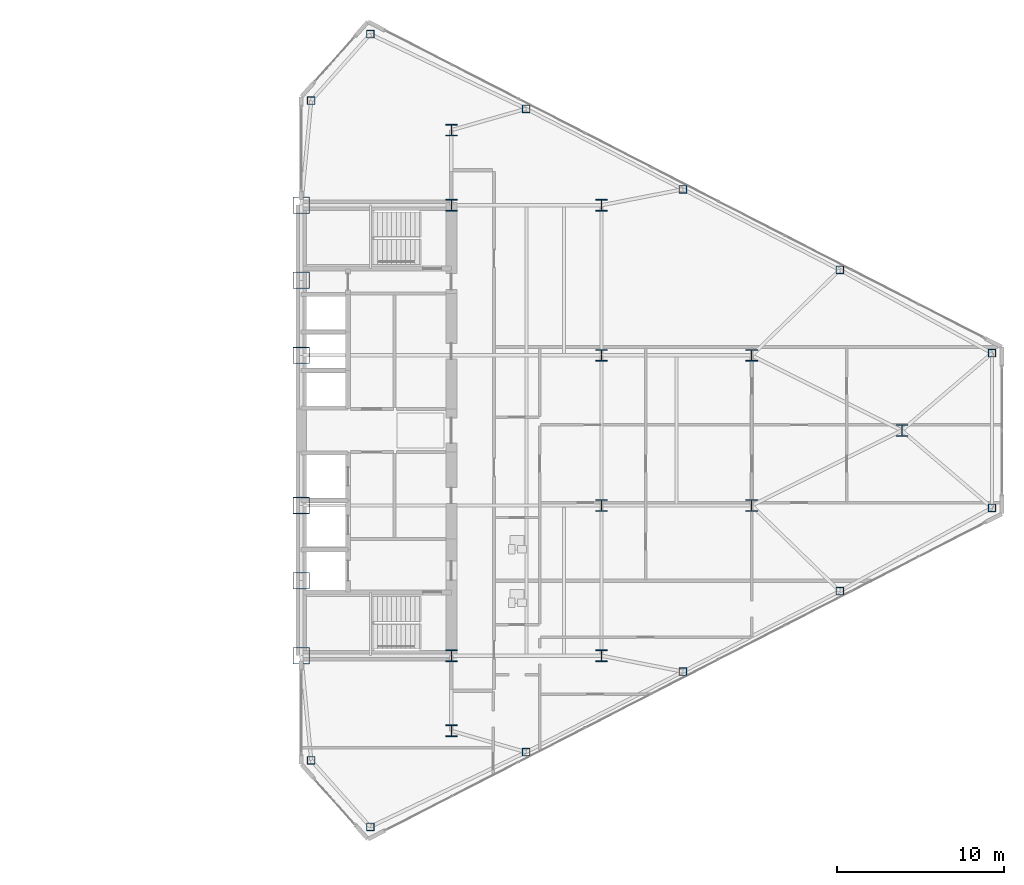
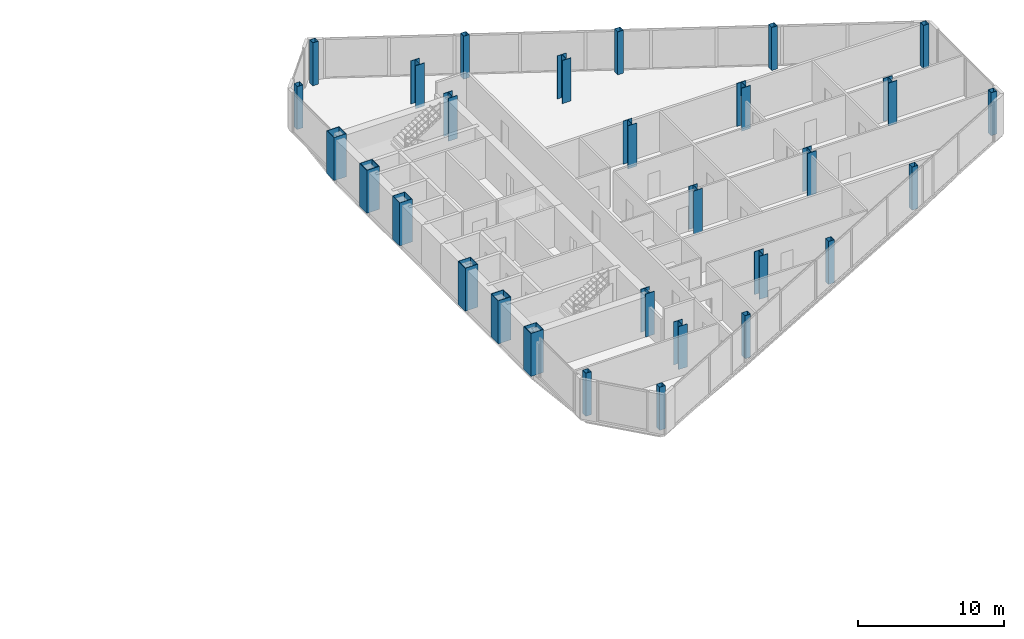
# One storey, part 2 of 23: 29 columns.
"""IFC4 building model written with IfcOpenShell, lengths in metres."""

from ifc_helpers import new_model, si_unit, direction, frame, origin, origin_2d, place, context, subcontext, project, spatial, hollow_rectangle, i_section, extrude, source, transform, mapped, material, material_profile, profile_set, type_object, type_shapes, element, save


model = new_model("IFC4")

# Units and contexts
model_context = context("Model", 3, precision=1e-05, world=origin(), true_north=direction((0.0, 1.0)))
body_context = subcontext(model_context, "Body", "Model", "MODEL_VIEW")
ifc_project = project(units=[si_unit("LENGTHUNIT", "METRE"), si_unit("AREAUNIT", "SQUARE_METRE"), si_unit("VOLUMEUNIT", "CUBIC_METRE"), si_unit("PLANEANGLEUNIT", "RADIAN"), si_unit("MASSUNIT", "GRAM", prefix="KILO")], contexts=[model_context])

# Site, building, storey
site_placement = place(None, origin())
site = spatial("IfcSite", under=ifc_project, at=site_placement, CompositionType="ELEMENT")
building_placement = place(site_placement, origin())
building = spatial("IfcBuilding", under=site, at=building_placement, Name="Seokmaru Belvedere", CompositionType="ELEMENT")
storey_placement = place(building_placement, frame((0.0, 0.0, 132.0)))
storey = spatial("IfcBuildingStorey", under=building, at=storey_placement, Name="L35", CompositionType="ELEMENT", Elevation=132.0)

# Columns
ifc_material_1 = material(Name="Steel HSA650 (650 MPa)", Category="steel")
ifc_material_profile_1 = material_profile(ifc_material_1, hollow_rectangle(XDim=1.0, YDim=1.0, WallThickness=0.0419921875, at=origin_2d()), Name="BOX-1000x1000x42")
ifc_profile_set_1 = profile_set([ifc_material_profile_1], Name="Steel HSA650 (650 MPa)")
column_type_1 = type_object("IfcColumnType", Name="Portal Spine Column BOX-1000", PredefinedType="COLUMN", material=ifc_profile_set_1)
shared_shape_1 = source(origin(), body_context, "Body", "SweptSolid", [
    extrude(hollow_rectangle(XDim=1.0, YDim=1.0, WallThickness=0.0419921875, at=origin_2d()), origin(), (0.0, 0.0, 1.0), 3.60009765625),
])
type_shapes(column_type_1, [shared_shape_1])
for number, where, z_axis, x_axis, name in (
    (1, (27.5, -13.5, 0.0), (0.0, 0.0, 1.0), (1.0, 0.0, 0.0), "L35 Column ES1"),
    (2, (27.5, -9.0, 0.0), (0.0, 0.0, 1.0), (1.0, 0.0, 0.0), "L35 Column ES2"),
    (3, (27.5, -4.5, 0.0), (0.0, 0.0, 1.0), (1.0, 0.0, 0.0), "L35 Column ES3"),
    (4, (27.5, 4.5, 0.0), (0.0, 0.0, 1.0), (1.0, 0.0, 0.0), "L35 Column ES4"),
    (5, (27.5, 9.0, 0.0), (0.0, 0.0, 1.0), (1.0, 0.0, 0.0), "L35 Column ES5"),
    (6, (27.5, 13.5, 0.0), (0.0, 0.0, 1.0), (1.0, 0.0, 0.0), "L35 Column ES6"),
):
    element("IfcColumn", number, at=place(storey_placement, frame(where, z_axis=z_axis, x_axis=x_axis)), inside=storey, type_object=column_type_1, Name=name, PredefinedType="COLUMN", context=body_context, shape_type="MappedRepresentation", body=[
        mapped(shared_shape_1, transform((0.0, 0.0, 0.0), scale=1.0)),
    ])
ifc_material_2 = material(Name="Steel SM355 (355 MPa)", Category="steel")
ifc_material_profile_2 = material_profile(ifc_material_2, i_section(OverallWidth=0.699951171875, OverallDepth=0.699951171875, WebThickness=0.028076171875, FlangeThickness=0.044921875, at=origin_2d()), Name="H-700x700x28x45")
ifc_profile_set_2 = profile_set([ifc_material_profile_2], Name="Steel SM355 (355 MPa)")
column_type_2 = type_object("IfcColumnType", Name="Mid Interior Column H-700", PredefinedType="COLUMN", material=ifc_profile_set_2)
shared_shape_2 = source(origin(), body_context, "Body", "SweptSolid", [
    extrude(i_section(OverallWidth=0.699951171875, OverallDepth=0.699951171875, WebThickness=0.028076171875, FlangeThickness=0.044921875, at=origin_2d()), origin(), (0.0, 0.0, 1.0), 3.60009765625),
])
type_shapes(column_type_2, [shared_shape_2])
for number, where, z_axis, x_axis, name in (
    (7, (36.5, -18.0, 0.0), (0.0, 0.0, 1.0), (1.0, 0.0, 0.0), "L35 Column EC1"),
    (8, (36.5, -13.5, 0.0), (0.0, 0.0, 1.0), (1.0, 0.0, 0.0), "L35 Column EC2"),
    (9, (36.5, 13.5, 0.0), (0.0, 0.0, 1.0), (1.0, 0.0, 0.0), "L35 Column EC3"),
    (10, (36.5, 18.0, 0.0), (0.0, 0.0, 1.0), (1.0, 0.0, 0.0), "L35 Column EC4"),
    (11, (45.5, -13.5, 0.0), (0.0, 0.0, 1.0), (1.0, 0.0, 0.0), "L35 Column EG5_1"),
    (12, (45.5, -4.5, 0.0), (0.0, 0.0, 1.0), (1.0, 0.0, 0.0), "L35 Column EG5_2"),
    (13, (45.5, 4.5, 0.0), (0.0, 0.0, 1.0), (1.0, 0.0, 0.0), "L35 Column EG5_3"),
    (14, (45.5, 13.5, 0.0), (0.0, 0.0, 1.0), (1.0, 0.0, 0.0), "L35 Column EG5_4"),
    (15, (54.5, -4.5, 0.0), (0.0, 0.0, 1.0), (1.0, 0.0, 0.0), "L35 Column EG4P_1"),
    (16, (54.5, 4.5, 0.0), (0.0, 0.0, 1.0), (1.0, 0.0, 0.0), "L35 Column EG4P_2"),
    (17, (63.5, 0.0, 0.0), (0.0, 0.0, 1.0), (1.0, 0.0, 0.0), "L35 Column EG3P_1"),
):
    element("IfcColumn", number, at=place(storey_placement, frame(where, z_axis=z_axis, x_axis=x_axis)), inside=storey, type_object=column_type_2, Name=name, PredefinedType="COLUMN", context=body_context, shape_type="MappedRepresentation", body=[
        mapped(shared_shape_2, transform((0.0, 0.0, 0.0), scale=1.0)),
    ])
ifc_material_profile_3 = material_profile(ifc_material_2, hollow_rectangle(XDim=0.449951171875, YDim=0.449951171875, WallThickness=0.01806640625, at=origin_2d()), Name="HSS-450x450x18")
ifc_profile_set_3 = profile_set([ifc_material_profile_3], Name="Steel SM355 (355 MPa)")
column_type_3 = type_object("IfcColumnType", Name="Perimeter Facet Column HSS-450", PredefinedType="COLUMN", material=ifc_profile_set_3)
shared_shape_3 = source(origin(), body_context, "Body", "SweptSolid", [
    extrude(hollow_rectangle(XDim=0.449951171875, YDim=0.449951171875, WallThickness=0.01806640625, at=origin_2d()), origin(), (0.0, 0.0, 1.0), 3.60009765625),
])
type_shapes(column_type_3, [shared_shape_3])
for number, where, z_axis, x_axis, name in (
    (18, (31.6396484375, -23.75390625, 0.0), (0.0, 0.0, 1.0), (1.0, 0.0, 0.0), "L35 Column EF1"),
    (19, (68.89990234375, -4.633544921875, 0.0), (0.0, 0.0, 1.0), (1.0, 0.0, 0.0), "L35 Column EF2"),
    (20, (68.89990234375, 4.633544921875, 0.0), (0.0, 0.0, 1.0), (1.0, 0.0, 0.0), "L35 Column EF3"),
    (21, (31.6396484375, 23.75390625, 0.0), (0.0, 0.0, 1.0), (1.0, 0.0, 0.0), "L35 Column EF4"),
    (22, (28.10009765625, 19.77197265625, 0.0), (0.0, 0.0, 1.0), (1.0, 0.0, 0.0), "L35 Column EF5"),
    (23, (28.10009765625, -19.77197265625, 0.0), (0.0, 0.0, 1.0), (1.0, 0.0, 0.0), "L35 Column EF6"),
    (24, (40.975830078125, -19.277587890625, 0.0), (0.0, 0.0, 1.0), (1.0, 0.0, 0.0), "L35 Column EFLK_S1"),
    (25, (50.377197265625, -14.453369140625, 0.0), (0.0, 0.0, 1.0), (1.0, 0.0, 0.0), "L35 Column EFLK_S2"),
    (26, (59.778564453125, -9.62890625, 0.0), (0.0, 0.0, 1.0), (1.0, 0.0, 0.0), "L35 Column EFLK_S3"),
    (27, (40.975830078125, 19.277587890625, 0.0), (0.0, 0.0, 1.0), (1.0, 0.0, 0.0), "L35 Column EFLK_N1"),
    (28, (50.377197265625, 14.453369140625, 0.0), (0.0, 0.0, 1.0), (1.0, 0.0, 0.0), "L35 Column EFLK_N2"),
    (29, (59.778564453125, 9.62890625, 0.0), (0.0, 0.0, 1.0), (1.0, 0.0, 0.0), "L35 Column EFLK_N3"),
):
    element("IfcColumn", number, at=place(storey_placement, frame(where, z_axis=z_axis, x_axis=x_axis)), inside=storey, type_object=column_type_3, Name=name, PredefinedType="COLUMN", context=body_context, shape_type="MappedRepresentation", body=[
        mapped(shared_shape_3, transform((0.0, 0.0, 0.0), scale=1.0)),
    ])

save(model, "model.ifc")
